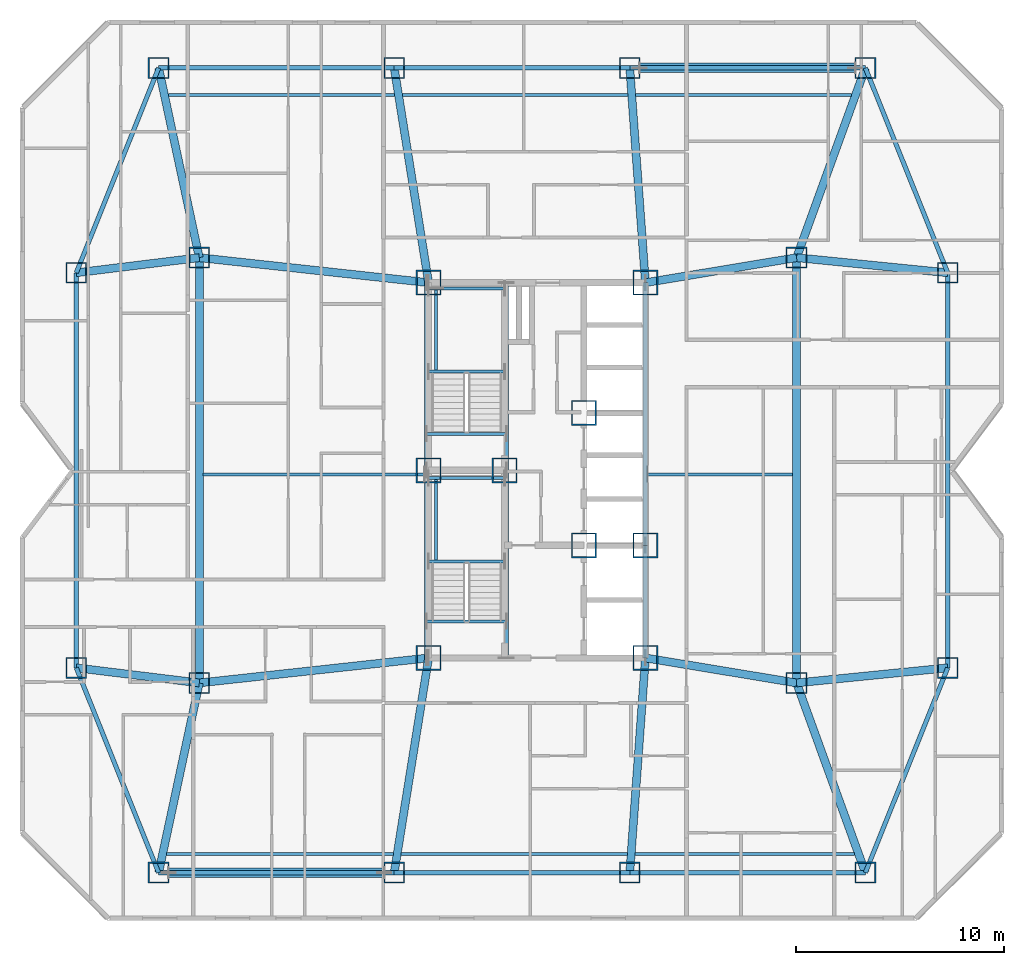
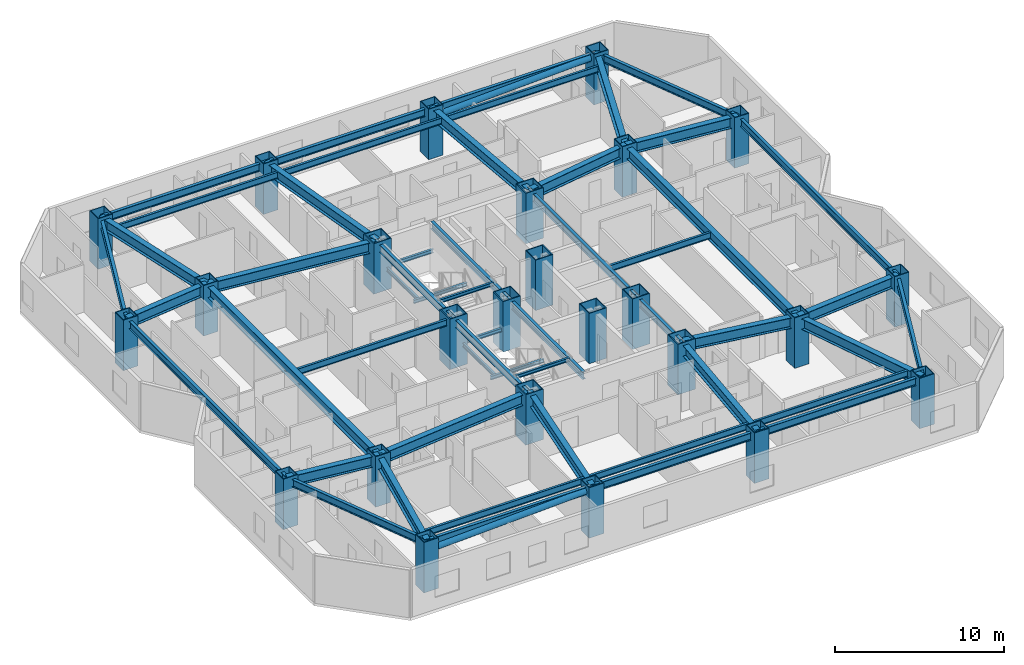
# One storey, part 1 of 13: 52 beams, 25 columns, 2 members.
"""IFC4 building model written with IfcOpenShell, lengths in metres."""

from ifc_helpers import new_model, si_unit, direction, frame, origin, origin_2d, place, context, subcontext, project, spatial, hollow_rectangle, hollow_circle, i_section, extrude, material, material_profile, profile_set, type_object, element, save


model = new_model("IFC4")

# Units and contexts
model_context = context("Model", 3, precision=1e-05, world=origin(), true_north=direction((0.0, 1.0)))
body_context = subcontext(model_context, "Body", "Model", "MODEL_VIEW")
ifc_project = project(units=[si_unit("LENGTHUNIT", "METRE"), si_unit("AREAUNIT", "SQUARE_METRE"), si_unit("VOLUMEUNIT", "CUBIC_METRE"), si_unit("PLANEANGLEUNIT", "RADIAN"), si_unit("MASSUNIT", "GRAM", prefix="KILO")], contexts=[model_context])

# Site, building, storey
site_placement = place(None, origin())
site = spatial("IfcSite", under=ifc_project, at=site_placement, CompositionType="ELEMENT")
building_placement = place(site_placement, origin())
building = spatial("IfcBuilding", under=site, at=building_placement, Name="Khamvora Tower", CompositionType="ELEMENT")
storey_placement = place(building_placement, frame((0.0, 0.0, 105.550048828125)))
storey = spatial("IfcBuildingStorey", under=building, at=storey_placement, Name="L26", CompositionType="ELEMENT", Elevation=105.550048828125)

# Columns
ifc_material_1 = material(Name="Steel S355", Category="steel")
ifc_material_profile_1 = material_profile(ifc_material_1, hollow_rectangle(XDim=1.0, YDim=1.0, WallThickness=0.050048828125, at=origin_2d()), Name="BOX1000x1000x50")
ifc_profile_set_1 = profile_set([ifc_material_profile_1], Name="Steel S355")
column_type_1 = type_object("IfcColumnType", Name="COL-BOX1000", PredefinedType="COLUMN", material=ifc_profile_set_1)
for number, where, z_axis, x_axis, name in (
    (1, (16.050048828125, 8.699951171875, 0.0), (0.0, 0.0, 1.0), (1.0, 0.0, 0.0), "L26 structural frame column S1"),
    (2, (27.35009765625, 8.699951171875, 0.0), (0.0, 0.0, 1.0), (1.0, 0.0, 0.0), "L26 structural frame column S2"),
    (3, (38.64990234375, 8.699951171875, 0.0), (0.0, 0.0, 1.0), (1.0, 0.0, 0.0), "L26 structural frame column S3"),
    (4, (49.949951171875, 8.699951171875, 0.0), (0.0, 0.0, 1.0), (1.0, 0.0, 0.0), "L26 structural frame column S4"),
    (5, (16.050048828125, 47.300048828125, 0.0), (0.0, 0.0, 1.0), (1.0, 0.0, 0.0), "L26 structural frame column N1"),
    (6, (27.35009765625, 47.300048828125, 0.0), (0.0, 0.0, 1.0), (1.0, 0.0, 0.0), "L26 structural frame column N2"),
    (7, (38.64990234375, 47.300048828125, 0.0), (0.0, 0.0, 1.0), (1.0, 0.0, 0.0), "L26 structural frame column N3"),
    (8, (49.949951171875, 47.300048828125, 0.0), (0.0, 0.0, 1.0), (1.0, 0.0, 0.0), "L26 structural frame column N4"),
    (9, (12.10009765625, 18.52490234375, 0.0), (0.0, 0.0, 1.0), (1.0, 0.0, 0.0), "L26 structural frame column W1"),
    (10, (12.10009765625, 37.47509765625, 0.0), (0.0, 0.0, 1.0), (1.0, 0.0, 0.0), "L26 structural frame column W2"),
    (11, (53.89990234375, 18.52490234375, 0.0), (0.0, 0.0, 1.0), (1.0, 0.0, 0.0), "L26 structural frame column E1"),
    (12, (53.89990234375, 37.47509765625, 0.0), (0.0, 0.0, 1.0), (1.0, 0.0, 0.0), "L26 structural frame column E2"),
    (13, (18.0, 17.800048828125, 0.0), (0.0, 0.0, 1.0), (1.0, 0.0, 0.0), "L26 structural frame column MW1"),
    (14, (18.0, 38.199951171875, 0.0), (0.0, 0.0, 1.0), (1.0, 0.0, 0.0), "L26 structural frame column MW2"),
    (15, (46.64990234375, 17.800048828125, 0.0), (0.0, 0.0, 1.0), (1.0, 0.0, 0.0), "L26 structural frame column M1"),
    (16, (46.64990234375, 38.199951171875, 0.0), (0.0, 0.0, 1.0), (1.0, 0.0, 0.0), "L26 structural frame column M2"),
):
    element("IfcColumn", number, at=place(storey_placement, frame(where, z_axis=z_axis, x_axis=x_axis)), inside=storey, type_object=column_type_1, Name=name, PredefinedType="COLUMN", context=body_context, shape_type="SweptSolid", body=[
        extrude(hollow_rectangle(XDim=1.0, YDim=1.0, WallThickness=0.050048828125, at=origin_2d()), origin(), (0.0, 0.0, 1.0), 3.64990234375),
    ])
ifc_material_2 = material(Name="Steel S460", Category="steel")
ifc_material_profile_2 = material_profile(ifc_material_2, hollow_rectangle(XDim=1.199951171875, YDim=1.199951171875, WallThickness=0.06005859375, at=origin_2d()), Name="BOX1200x1200x60")
ifc_profile_set_2 = profile_set([ifc_material_profile_2], Name="Steel S460")
column_type_2 = type_object("IfcColumnType", Name="COL-BOX1200", PredefinedType="COLUMN", material=ifc_profile_set_2)
for number, where, z_axis, x_axis, name in (
    (17, (29.0, 19.0, 0.0), (0.0, 0.0, 1.0), (1.0, 0.0, 0.0), "L26 plumb core spine column SC1"),
    (18, (32.64990234375, 28.0, 0.0), (0.0, 0.0, 1.0), (1.0, 0.0, 0.0), "L26 plumb core spine column SC2"),
    (19, (39.39990234375, 19.0, 0.0), (0.0, 0.0, 1.0), (1.0, 0.0, 0.0), "L26 plumb core spine column SC3"),
    (20, (29.0, 28.0, 0.0), (0.0, 0.0, 1.0), (1.0, 0.0, 0.0), "L26 plumb core spine column SC4"),
    (21, (36.449951171875, 24.39990234375, 0.0), (0.0, 0.0, 1.0), (1.0, 0.0, 0.0), "L26 plumb core spine column SC5"),
    (22, (39.39990234375, 24.39990234375, 0.0), (0.0, 0.0, 1.0), (1.0, 0.0, 0.0), "L26 plumb core spine column SC6"),
    (23, (29.0, 37.0, 0.0), (0.0, 0.0, 1.0), (1.0, 0.0, 0.0), "L26 plumb core spine column SC7"),
    (24, (36.449951171875, 30.75, 0.0), (0.0, 0.0, 1.0), (1.0, 0.0, 0.0), "L26 plumb core spine column SC8"),
    (25, (39.39990234375, 37.0, 0.0), (0.0, 0.0, 1.0), (1.0, 0.0, 0.0), "L26 plumb core spine column SC9"),
):
    element("IfcColumn", number, at=place(storey_placement, frame(where, z_axis=z_axis, x_axis=x_axis)), inside=storey, type_object=column_type_2, Name=name, PredefinedType="COLUMN", context=body_context, shape_type="SweptSolid", body=[
        extrude(hollow_rectangle(XDim=1.199951171875, YDim=1.199951171875, WallThickness=0.06005859375, at=origin_2d()), origin(), (0.0, 0.0, 1.0), 3.64990234375),
    ])

# Beams
ifc_material_profile_3 = material_profile(ifc_material_1, i_section(OverallWidth=0.154052734375, OverallDepth=0.458984375, WebThickness=0.009033203125, FlangeThickness=0.014892578125, FilletRadius=0.011962890625, at=origin_2d()), Name="W460x68")
ifc_profile_set_3 = profile_set([ifc_material_profile_3], Name="Steel S355")
beam_type_1 = type_object("IfcBeamType", Name="BM-JS-W460x68", PredefinedType="JOIST", material=ifc_profile_set_3)
beam_1_placement = place(storey_placement, frame((16.43310546875, 9.60009765625, 3.200927734375), z_axis=(1.0, 0.0, 0.0), x_axis=(0.0, 1.0, 0.0)))
element("IfcBeam", 26, at=beam_1_placement, inside=storey, type_object=beam_type_1, Name="L26 secondary floor joist 01", PredefinedType="JOIST", context=body_context, shape_type="SweptSolid", body=[
    extrude(i_section(OverallWidth=0.154052734375, OverallDepth=0.458984375, WebThickness=0.009033203125, FlangeThickness=0.014892578125, FilletRadius=0.011962890625, at=origin_2d()), origin(), (0.0, 0.0, 1.0), 10.872802734375),
])
beam_2_placement = place(storey_placement, frame((27.681884765625, 9.60009765625, 3.200927734375), z_axis=(1.0, 0.0, 0.0), x_axis=(0.0, 1.0, 0.0)))
element("IfcBeam", 27, at=beam_2_placement, inside=storey, type_object=beam_type_1, Name="L26 secondary floor joist 02", PredefinedType="JOIST", context=body_context, shape_type="SweptSolid", body=[
    extrude(i_section(OverallWidth=0.154052734375, OverallDepth=0.458984375, WebThickness=0.009033203125, FlangeThickness=0.014892578125, FilletRadius=0.011962890625, at=origin_2d()), origin(), (0.0, 0.0, 1.0), 10.84814453125),
])
beam_3_placement = place(storey_placement, frame((38.902099609375, 9.60009765625, 3.200927734375), z_axis=(1.0, 0.0, 0.0), x_axis=(0.0, 1.0, 0.0)))
element("IfcBeam", 28, at=beam_3_placement, inside=storey, type_object=beam_type_1, Name="L26 secondary floor joist 03", PredefinedType="JOIST", context=body_context, shape_type="SweptSolid", body=[
    extrude(i_section(OverallWidth=0.154052734375, OverallDepth=0.458984375, WebThickness=0.009033203125, FlangeThickness=0.014892578125, FilletRadius=0.011962890625, at=origin_2d()), origin(), (0.0, 0.0, 1.0), 10.52392578125),
])
beam_4_placement = place(storey_placement, frame((18.18603515625, 27.800048828125, 3.200927734375), z_axis=(1.0, 0.0, 0.0), x_axis=(0.0, 1.0, 0.0)))
element("IfcBeam", 29, at=beam_4_placement, inside=storey, type_object=beam_type_1, Name="L26 secondary floor joist 04", PredefinedType="JOIST", context=body_context, shape_type="SweptSolid", body=[
    extrude(i_section(OverallWidth=0.154052734375, OverallDepth=0.458984375, WebThickness=0.009033203125, FlangeThickness=0.014892578125, FilletRadius=0.011962890625, at=origin_2d()), origin(), (0.0, 0.0, 1.0), 10.614013671875),
])
beam_5_placement = place(storey_placement, frame((39.4990234375, 27.800048828125, 3.200927734375), z_axis=(1.0, 0.0, 0.0), x_axis=(0.0, 1.0, 0.0)))
element("IfcBeam", 30, at=beam_5_placement, inside=storey, type_object=beam_type_1, Name="L26 secondary floor joist 05", PredefinedType="JOIST", context=body_context, shape_type="SweptSolid", body=[
    extrude(i_section(OverallWidth=0.154052734375, OverallDepth=0.458984375, WebThickness=0.009033203125, FlangeThickness=0.014892578125, FilletRadius=0.011962890625, at=origin_2d()), origin(), (0.0, 0.0, 1.0), 6.966064453125),
])
beam_6_placement = place(storey_placement, frame((16.51806640625, 46.0, 3.200927734375), z_axis=(1.0, 0.0, 0.0), x_axis=(0.0, 1.0, 0.0)))
element("IfcBeam", 31, at=beam_6_placement, inside=storey, type_object=beam_type_1, Name="L26 secondary floor joist 06", PredefinedType="JOIST", context=body_context, shape_type="SweptSolid", body=[
    extrude(i_section(OverallWidth=0.154052734375, OverallDepth=0.458984375, WebThickness=0.009033203125, FlangeThickness=0.014892578125, FilletRadius=0.011962890625, at=origin_2d()), origin(), (0.0, 0.0, 1.0), 10.85205078125),
])
beam_7_placement = place(storey_placement, frame((27.74609375, 46.0, 3.200927734375), z_axis=(1.0, 0.0, 0.0), x_axis=(0.0, 1.0, 0.0)))
element("IfcBeam", 32, at=beam_7_placement, inside=storey, type_object=beam_type_1, Name="L26 secondary floor joist 07", PredefinedType="JOIST", context=body_context, shape_type="SweptSolid", body=[
    extrude(i_section(OverallWidth=0.154052734375, OverallDepth=0.458984375, WebThickness=0.009033203125, FlangeThickness=0.014892578125, FilletRadius=0.011962890625, at=origin_2d()), origin(), (0.0, 0.0, 1.0), 10.81298828125),
])
beam_8_placement = place(storey_placement, frame((38.930908203125, 46.0, 3.200927734375), z_axis=(1.0, 0.0, 0.0), x_axis=(0.0, 1.0, 0.0)))
element("IfcBeam", 33, at=beam_8_placement, inside=storey, type_object=beam_type_1, Name="L26 secondary floor joist 08", PredefinedType="JOIST", context=body_context, shape_type="SweptSolid", body=[
    extrude(i_section(OverallWidth=0.154052734375, OverallDepth=0.458984375, WebThickness=0.009033203125, FlangeThickness=0.014892578125, FilletRadius=0.011962890625, at=origin_2d()), origin(), (0.0, 0.0, 1.0), 10.35009765625),
])
ifc_material_profile_4 = material_profile(ifc_material_1, i_section(OverallWidth=0.14697265625, OverallDepth=0.261962890625, WebThickness=0.007080078125, FlangeThickness=0.010986328125, FilletRadius=0.008056640625, at=origin_2d()), Name="W250x39")
ifc_profile_set_4 = profile_set([ifc_material_profile_4], Name="Steel S355")
beam_type_2 = type_object("IfcBeamType", Name="BM-LN-W250x39", PredefinedType="LINTEL", material=ifc_profile_set_4)
for number, where, z_axis, x_axis, name in (
    (34, (29.0, 23.635009765625, 1.493896484375), (1.0, 0.0, 0.0), (0.0, 1.0, 0.0), "L26 ST-01 half-landing support beam 1.1"),
    (35, (29.0, 27.6298828125, 1.493896484375), (1.0, 0.0, 0.0), (0.0, 1.0, 0.0), "L26 ST-01 half-landing support beam 1.2"),
):
    element("IfcBeam", number, at=place(storey_placement, frame(where, z_axis=z_axis, x_axis=x_axis)), inside=storey, type_object=beam_type_2, Name=name, PredefinedType="LINTEL", context=body_context, shape_type="SweptSolid", body=[
        extrude(i_section(OverallWidth=0.14697265625, OverallDepth=0.261962890625, WebThickness=0.007080078125, FlangeThickness=0.010986328125, FilletRadius=0.008056640625, at=origin_2d()), origin(), (0.0, 0.0, 1.0), 3.64990234375),
    ])
beam_9_placement = place(storey_placement, frame((29.35009765625, 23.635009765625, 1.493896484375), z_axis=(0.0, 1.0, 0.0), x_axis=(-1.0, 0.0, 0.0)))
element("IfcBeam", 36, at=beam_9_placement, inside=storey, type_object=beam_type_2, Name="L26 ST-01 half-landing edge stringer 1", PredefinedType="LINTEL", context=body_context, shape_type="SweptSolid", body=[
    extrude(i_section(OverallWidth=0.14697265625, OverallDepth=0.261962890625, WebThickness=0.007080078125, FlangeThickness=0.010986328125, FilletRadius=0.008056640625, at=origin_2d()), origin(), (0.0, 0.0, 1.0), 3.994873046875),
])
for number, where, z_axis, x_axis, name in (
    (37, (29.0, 32.735107421875, 1.493896484375), (1.0, 0.0, 0.0), (0.0, 1.0, 0.0), "L26 ST-02 half-landing support beam 1.1"),
    (38, (29.0, 36.72998046875, 1.493896484375), (1.0, 0.0, 0.0), (0.0, 1.0, 0.0), "L26 ST-02 half-landing support beam 1.2"),
):
    element("IfcBeam", number, at=place(storey_placement, frame(where, z_axis=z_axis, x_axis=x_axis)), inside=storey, type_object=beam_type_2, Name=name, PredefinedType="LINTEL", context=body_context, shape_type="SweptSolid", body=[
        extrude(i_section(OverallWidth=0.14697265625, OverallDepth=0.261962890625, WebThickness=0.007080078125, FlangeThickness=0.010986328125, FilletRadius=0.008056640625, at=origin_2d()), origin(), (0.0, 0.0, 1.0), 3.64990234375),
    ])
beam_10_placement = place(storey_placement, frame((29.35009765625, 32.735107421875, 1.493896484375), z_axis=(0.0, 1.0, 0.0), x_axis=(-1.0, 0.0, 0.0)))
element("IfcBeam", 39, at=beam_10_placement, inside=storey, type_object=beam_type_2, Name="L26 ST-02 half-landing edge stringer 1", PredefinedType="LINTEL", context=body_context, shape_type="SweptSolid", body=[
    extrude(i_section(OverallWidth=0.14697265625, OverallDepth=0.261962890625, WebThickness=0.007080078125, FlangeThickness=0.010986328125, FilletRadius=0.008056640625, at=origin_2d()), origin(), (0.0, 0.0, 1.0), 3.994873046875),
])
for number, where, z_axis, x_axis, name in (
    (40, (28.89990234375, 20.75, 3.303955078125), (1.0, 0.0, 0.0), (0.0, 1.0, 0.0), "L26 exit stair ST-01 landing trimmer beam"),
    (41, (28.89990234375, 29.75, 3.303955078125), (1.0, 0.0, 0.0), (0.0, 1.0, 0.0), "L26 exit stair ST-02 landing trimmer beam"),
):
    element("IfcBeam", number, at=place(storey_placement, frame(where, z_axis=z_axis, x_axis=x_axis)), inside=storey, type_object=beam_type_2, Name=name, PredefinedType="LINTEL", context=body_context, shape_type="SweptSolid", body=[
        extrude(i_section(OverallWidth=0.14697265625, OverallDepth=0.261962890625, WebThickness=0.007080078125, FlangeThickness=0.010986328125, FilletRadius=0.008056640625, at=origin_2d()), origin(), (0.0, 0.0, 1.0), 3.830078125),
    ])
ifc_material_profile_5 = material_profile(ifc_material_1, i_section(OverallWidth=0.381103515625, OverallDepth=0.77294921875, WebThickness=0.01708984375, FlangeThickness=0.027099609375, FilletRadius=0.01806640625, at=origin_2d()), Name="W760x257")
ifc_profile_set_5 = profile_set([ifc_material_profile_5], Name="Steel S355")
beam_type_3 = type_object("IfcBeamType", Name="BM-PG-W760x257", PredefinedType="BEAM", material=ifc_profile_set_5)
for number, where, z_axis, x_axis, name in (
    (42, (46.64990234375, 17.800048828125, 3.0439453125), (0.0, 1.0, 0.0), (-1.0, 0.0, 0.0), "L26 longitudinal frame girder M1-M2"),
    (43, (18.0, 17.800048828125, 3.0439453125), (0.0, 1.0, 0.0), (-1.0, 0.0, 0.0), "L26 longitudinal frame girder MW1-MW2"),
):
    element("IfcBeam", number, at=place(storey_placement, frame(where, z_axis=z_axis, x_axis=x_axis)), inside=storey, type_object=beam_type_3, Name=name, PredefinedType="BEAM", context=body_context, shape_type="SweptSolid", body=[
        extrude(i_section(OverallWidth=0.381103515625, OverallDepth=0.77294921875, WebThickness=0.01708984375, FlangeThickness=0.027099609375, FilletRadius=0.01806640625, at=origin_2d()), origin(), (0.0, 0.0, 1.0), 20.39990234375),
    ])
beam_11_placement = place(storey_placement, frame((18.0, 17.800048828125, 3.0439453125), z_axis=(-0.209521922673, -0.977803949634, 0.0), x_axis=(0.977803949634, -0.209521922673, 0.0)))
element("IfcBeam", 44, at=beam_11_placement, inside=storey, type_object=beam_type_3, Name="L26 primary floor girder S1", PredefinedType="BEAM", context=body_context, shape_type="SweptSolid", body=[
    extrude(i_section(OverallWidth=0.381103515625, OverallDepth=0.77294921875, WebThickness=0.01708984375, FlangeThickness=0.027099609375, FilletRadius=0.01806640625, at=origin_2d()), origin(), (0.0, 0.0, 1.0), 9.306640625),
])
beam_12_placement = place(storey_placement, frame((29.0, 19.0, 3.0439453125), z_axis=(-0.158167584066, -0.987412282358, 0.0), x_axis=(0.987412282358, -0.158167584066, 0.0)))
element("IfcBeam", 45, at=beam_12_placement, inside=storey, type_object=beam_type_3, Name="L26 primary floor girder S2", PredefinedType="BEAM", context=body_context, shape_type="SweptSolid", body=[
    extrude(i_section(OverallWidth=0.381103515625, OverallDepth=0.77294921875, WebThickness=0.01708984375, FlangeThickness=0.027099609375, FilletRadius=0.01806640625, at=origin_2d()), origin(), (0.0, 0.0, 1.0), 10.431396484375),
])
beam_13_placement = place(storey_placement, frame((39.39990234375, 19.0, 3.0439453125), z_axis=(-0.07262291808, -0.997359469685, 0.0), x_axis=(0.997359469685, -0.07262291808, 0.0)))
element("IfcBeam", 46, at=beam_13_placement, inside=storey, type_object=beam_type_3, Name="L26 primary floor girder S3", PredefinedType="BEAM", context=body_context, shape_type="SweptSolid", body=[
    extrude(i_section(OverallWidth=0.381103515625, OverallDepth=0.77294921875, WebThickness=0.01708984375, FlangeThickness=0.027099609375, FilletRadius=0.01806640625, at=origin_2d()), origin(), (0.0, 0.0, 1.0), 10.327392578125),
])
beam_14_placement = place(storey_placement, frame((46.64990234375, 17.800048828125, 3.0439453125), z_axis=(0.340914681567, -0.940094239899, 0.0), x_axis=(0.940094239899, 0.340914681567, 0.0)))
element("IfcBeam", 47, at=beam_14_placement, inside=storey, type_object=beam_type_3, Name="L26 primary floor girder S4", PredefinedType="BEAM", context=body_context, shape_type="SweptSolid", body=[
    extrude(i_section(OverallWidth=0.381103515625, OverallDepth=0.77294921875, WebThickness=0.01708984375, FlangeThickness=0.027099609375, FilletRadius=0.01806640625, at=origin_2d()), origin(), (0.0, 0.0, 1.0), 9.679931640625),
])
beam_15_placement = place(storey_placement, frame((18.0, 38.199951171875, 3.0439453125), z_axis=(-0.209521922673, 0.977803949634, 0.0), x_axis=(-0.977803949634, -0.209521922673, 0.0)))
element("IfcBeam", 48, at=beam_15_placement, inside=storey, type_object=beam_type_3, Name="L26 primary floor girder N1", PredefinedType="BEAM", context=body_context, shape_type="SweptSolid", body=[
    extrude(i_section(OverallWidth=0.381103515625, OverallDepth=0.77294921875, WebThickness=0.01708984375, FlangeThickness=0.027099609375, FilletRadius=0.01806640625, at=origin_2d()), origin(), (0.0, 0.0, 1.0), 9.306640625),
])
beam_16_placement = place(storey_placement, frame((29.0, 37.0, 3.0439453125), z_axis=(-0.158167584066, 0.987412282358, 0.0), x_axis=(-0.987412282358, -0.158167584066, 0.0)))
element("IfcBeam", 49, at=beam_16_placement, inside=storey, type_object=beam_type_3, Name="L26 primary floor girder N2", PredefinedType="BEAM", context=body_context, shape_type="SweptSolid", body=[
    extrude(i_section(OverallWidth=0.381103515625, OverallDepth=0.77294921875, WebThickness=0.01708984375, FlangeThickness=0.027099609375, FilletRadius=0.01806640625, at=origin_2d()), origin(), (0.0, 0.0, 1.0), 10.431396484375),
])
beam_17_placement = place(storey_placement, frame((39.39990234375, 37.0, 3.0439453125), z_axis=(-0.07262291808, 0.997359469685, 0.0), x_axis=(-0.997359469685, -0.07262291808, 0.0)))
element("IfcBeam", 50, at=beam_17_placement, inside=storey, type_object=beam_type_3, Name="L26 primary floor girder N3", PredefinedType="BEAM", context=body_context, shape_type="SweptSolid", body=[
    extrude(i_section(OverallWidth=0.381103515625, OverallDepth=0.77294921875, WebThickness=0.01708984375, FlangeThickness=0.027099609375, FilletRadius=0.01806640625, at=origin_2d()), origin(), (0.0, 0.0, 1.0), 10.327392578125),
])
beam_18_placement = place(storey_placement, frame((46.64990234375, 38.199951171875, 3.0439453125), z_axis=(0.340914681567, 0.940094239899, 0.0), x_axis=(-0.940094239899, 0.340914681567, 0.0)))
element("IfcBeam", 51, at=beam_18_placement, inside=storey, type_object=beam_type_3, Name="L26 primary floor girder N4", PredefinedType="BEAM", context=body_context, shape_type="SweptSolid", body=[
    extrude(i_section(OverallWidth=0.381103515625, OverallDepth=0.77294921875, WebThickness=0.01708984375, FlangeThickness=0.027099609375, FilletRadius=0.01806640625, at=origin_2d()), origin(), (0.0, 0.0, 1.0), 9.679931640625),
])
for number, where, z_axis, x_axis, name in (
    (52, (18.0, 17.800048828125, 3.0439453125), (-0.992537264608, 0.12194170068, 0.0), (-0.12194170068, -0.992537264608, 0.0), "L26 primary floor girder W1"),
    (53, (18.0, 38.199951171875, 3.0439453125), (-0.992537264608, -0.12194170068, 0.0), (0.12194170068, -0.992537264608, 0.0), "L26 primary floor girder W2"),
):
    element("IfcBeam", number, at=place(storey_placement, frame(where, z_axis=z_axis, x_axis=x_axis)), inside=storey, type_object=beam_type_3, Name=name, PredefinedType="BEAM", context=body_context, shape_type="SweptSolid", body=[
        extrude(i_section(OverallWidth=0.381103515625, OverallDepth=0.77294921875, WebThickness=0.01708984375, FlangeThickness=0.027099609375, FilletRadius=0.01806640625, at=origin_2d()), origin(), (0.0, 0.0, 1.0), 5.9443359375),
    ])
for number, where, z_axis, x_axis, name in (
    (54, (46.64990234375, 17.800048828125, 3.0439453125), (0.995039180556, 0.099483813546, 0.0), (-0.099483813546, 0.995039180556, 0.0), "L26 primary floor girder E1"),
    (55, (46.64990234375, 38.199951171875, 3.0439453125), (0.995039180556, -0.099483813546, 0.0), (0.099483813546, 0.995039180556, 0.0), "L26 primary floor girder E2"),
):
    element("IfcBeam", number, at=place(storey_placement, frame(where, z_axis=z_axis, x_axis=x_axis)), inside=storey, type_object=beam_type_3, Name=name, PredefinedType="BEAM", context=body_context, shape_type="SweptSolid", body=[
        extrude(i_section(OverallWidth=0.381103515625, OverallDepth=0.77294921875, WebThickness=0.01708984375, FlangeThickness=0.027099609375, FilletRadius=0.01806640625, at=origin_2d()), origin(), (0.0, 0.0, 1.0), 7.2861328125),
    ])
for number, where, z_axis, x_axis, name in (
    (56, (29.0, 19.0, 3.0439453125), (-0.994102652327, -0.108443149329, 0.0), (0.108443149329, -0.994102652327, 0.0), "L26 primary floor girder MW1"),
    (57, (29.0, 37.0, 3.0439453125), (-0.994102652327, 0.108443149329, 0.0), (-0.108443149329, -0.994102652327, 0.0), "L26 primary floor girder MW2"),
):
    element("IfcBeam", number, at=place(storey_placement, frame(where, z_axis=z_axis, x_axis=x_axis)), inside=storey, type_object=beam_type_3, Name=name, PredefinedType="BEAM", context=body_context, shape_type="SweptSolid", body=[
        extrude(i_section(OverallWidth=0.381103515625, OverallDepth=0.77294921875, WebThickness=0.01708984375, FlangeThickness=0.027099609375, FilletRadius=0.01806640625, at=origin_2d()), origin(), (0.0, 0.0, 1.0), 11.065185546875),
    ])
for number, where, z_axis, x_axis, name in (
    (58, (39.39990234375, 19.0, 3.0439453125), (0.986578268552, -0.163289068896, 0.0), (0.163289068896, 0.986578268552, 0.0), "L26 primary floor girder M1"),
    (59, (39.39990234375, 37.0, 3.0439453125), (0.986578268552, 0.163289068896, 0.0), (-0.163289068896, 0.986578268552, 0.0), "L26 primary floor girder M2"),
):
    element("IfcBeam", number, at=place(storey_placement, frame(where, z_axis=z_axis, x_axis=x_axis)), inside=storey, type_object=beam_type_3, Name=name, PredefinedType="BEAM", context=body_context, shape_type="SweptSolid", body=[
        extrude(i_section(OverallWidth=0.381103515625, OverallDepth=0.77294921875, WebThickness=0.01708984375, FlangeThickness=0.027099609375, FilletRadius=0.01806640625, at=origin_2d()), origin(), (0.0, 0.0, 1.0), 7.3486328125),
    ])
ifc_material_profile_6 = material_profile(ifc_material_1, i_section(OverallWidth=0.2119140625, OverallDepth=0.5439453125, WebThickness=0.012939453125, FlangeThickness=0.02099609375, FilletRadius=0.013916015625, at=origin_2d()), Name="W530x123")
ifc_profile_set_6 = profile_set([ifc_material_profile_6], Name="Steel S355")
beam_type_4 = type_object("IfcBeamType", Name="BM-SP-W530x123", PredefinedType="SPANDREL", material=ifc_profile_set_6)
beam_19_placement = place(storey_placement, frame((12.10009765625, 18.52490234375, 3.157958984375), z_axis=(0.373015921536, -0.927824941614, 0.0), x_axis=(0.927824941614, 0.373015921536, 0.0)))
element("IfcBeam", 60, at=beam_19_placement, inside=storey, type_object=beam_type_4, Name="L26 perimeter spandrel beam W1-S1", PredefinedType="SPANDREL", context=body_context, shape_type="SweptSolid", body=[
    extrude(i_section(OverallWidth=0.2119140625, OverallDepth=0.5439453125, WebThickness=0.012939453125, FlangeThickness=0.02099609375, FilletRadius=0.013916015625, at=origin_2d()), origin(), (0.0, 0.0, 1.0), 10.589111328125),
])
beam_20_placement = place(storey_placement, frame((16.050048828125, 8.699951171875, 3.157958984375), z_axis=(1.0, 0.0, 0.0), x_axis=(0.0, 1.0, 0.0)))
element("IfcBeam", 61, at=beam_20_placement, inside=storey, type_object=beam_type_4, Name="L26 perimeter spandrel beam S1-S2", PredefinedType="SPANDREL", context=body_context, shape_type="SweptSolid", body=[
    extrude(i_section(OverallWidth=0.2119140625, OverallDepth=0.5439453125, WebThickness=0.012939453125, FlangeThickness=0.02099609375, FilletRadius=0.013916015625, at=origin_2d()), origin(), (0.0, 0.0, 1.0), 11.300048828125),
])
beam_21_placement = place(storey_placement, frame((27.35009765625, 8.699951171875, 3.157958984375), z_axis=(1.0, 0.0, 0.0), x_axis=(0.0, 1.0, 0.0)))
element("IfcBeam", 62, at=beam_21_placement, inside=storey, type_object=beam_type_4, Name="L26 perimeter spandrel beam S2-S3", PredefinedType="SPANDREL", context=body_context, shape_type="SweptSolid", body=[
    extrude(i_section(OverallWidth=0.2119140625, OverallDepth=0.5439453125, WebThickness=0.012939453125, FlangeThickness=0.02099609375, FilletRadius=0.013916015625, at=origin_2d()), origin(), (0.0, 0.0, 1.0), 11.2998046875),
])
beam_22_placement = place(storey_placement, frame((38.64990234375, 8.699951171875, 3.157958984375), z_axis=(1.0, 0.0, 0.0), x_axis=(0.0, 1.0, 0.0)))
element("IfcBeam", 63, at=beam_22_placement, inside=storey, type_object=beam_type_4, Name="L26 perimeter spandrel beam S3-S4", PredefinedType="SPANDREL", context=body_context, shape_type="SweptSolid", body=[
    extrude(i_section(OverallWidth=0.2119140625, OverallDepth=0.5439453125, WebThickness=0.012939453125, FlangeThickness=0.02099609375, FilletRadius=0.013916015625, at=origin_2d()), origin(), (0.0, 0.0, 1.0), 11.300048828125),
])
beam_23_placement = place(storey_placement, frame((49.949951171875, 8.699951171875, 3.157958984375), z_axis=(0.373015921536, 0.927824941614, 0.0), x_axis=(-0.927824941614, 0.373015921536, 0.0)))
element("IfcBeam", 64, at=beam_23_placement, inside=storey, type_object=beam_type_4, Name="L26 perimeter spandrel beam S4-E1", PredefinedType="SPANDREL", context=body_context, shape_type="SweptSolid", body=[
    extrude(i_section(OverallWidth=0.2119140625, OverallDepth=0.5439453125, WebThickness=0.012939453125, FlangeThickness=0.02099609375, FilletRadius=0.013916015625, at=origin_2d()), origin(), (0.0, 0.0, 1.0), 10.589111328125),
])
beam_24_placement = place(storey_placement, frame((53.89990234375, 18.52490234375, 3.157958984375), z_axis=(0.0, 1.0, 0.0), x_axis=(-1.0, 0.0, 0.0)))
element("IfcBeam", 65, at=beam_24_placement, inside=storey, type_object=beam_type_4, Name="L26 perimeter spandrel beam E1-E2", PredefinedType="SPANDREL", context=body_context, shape_type="SweptSolid", body=[
    extrude(i_section(OverallWidth=0.2119140625, OverallDepth=0.5439453125, WebThickness=0.012939453125, FlangeThickness=0.02099609375, FilletRadius=0.013916015625, at=origin_2d()), origin(), (0.0, 0.0, 1.0), 18.9501953125),
])
beam_25_placement = place(storey_placement, frame((53.89990234375, 37.47509765625, 3.157958984375), z_axis=(-0.373015921536, 0.927824941614, 0.0), x_axis=(-0.927824941614, -0.373015921536, 0.0)))
element("IfcBeam", 66, at=beam_25_placement, inside=storey, type_object=beam_type_4, Name="L26 perimeter spandrel beam E2-N4", PredefinedType="SPANDREL", context=body_context, shape_type="SweptSolid", body=[
    extrude(i_section(OverallWidth=0.2119140625, OverallDepth=0.5439453125, WebThickness=0.012939453125, FlangeThickness=0.02099609375, FilletRadius=0.013916015625, at=origin_2d()), origin(), (0.0, 0.0, 1.0), 10.589111328125),
])
beam_26_placement = place(storey_placement, frame((49.949951171875, 47.300048828125, 3.157958984375), z_axis=(-1.0, 0.0, 0.0), x_axis=(0.0, -1.0, 0.0)))
element("IfcBeam", 67, at=beam_26_placement, inside=storey, type_object=beam_type_4, Name="L26 perimeter spandrel beam N4-N3", PredefinedType="SPANDREL", context=body_context, shape_type="SweptSolid", body=[
    extrude(i_section(OverallWidth=0.2119140625, OverallDepth=0.5439453125, WebThickness=0.012939453125, FlangeThickness=0.02099609375, FilletRadius=0.013916015625, at=origin_2d()), origin(), (0.0, 0.0, 1.0), 11.300048828125),
])
beam_27_placement = place(storey_placement, frame((38.64990234375, 47.300048828125, 3.157958984375), z_axis=(-1.0, 0.0, 0.0), x_axis=(0.0, -1.0, 0.0)))
element("IfcBeam", 68, at=beam_27_placement, inside=storey, type_object=beam_type_4, Name="L26 perimeter spandrel beam N3-N2", PredefinedType="SPANDREL", context=body_context, shape_type="SweptSolid", body=[
    extrude(i_section(OverallWidth=0.2119140625, OverallDepth=0.5439453125, WebThickness=0.012939453125, FlangeThickness=0.02099609375, FilletRadius=0.013916015625, at=origin_2d()), origin(), (0.0, 0.0, 1.0), 11.2998046875),
])
beam_28_placement = place(storey_placement, frame((27.35009765625, 47.300048828125, 3.157958984375), z_axis=(-1.0, 0.0, 0.0), x_axis=(0.0, -1.0, 0.0)))
element("IfcBeam", 69, at=beam_28_placement, inside=storey, type_object=beam_type_4, Name="L26 perimeter spandrel beam N2-N1", PredefinedType="SPANDREL", context=body_context, shape_type="SweptSolid", body=[
    extrude(i_section(OverallWidth=0.2119140625, OverallDepth=0.5439453125, WebThickness=0.012939453125, FlangeThickness=0.02099609375, FilletRadius=0.013916015625, at=origin_2d()), origin(), (0.0, 0.0, 1.0), 11.300048828125),
])
beam_29_placement = place(storey_placement, frame((16.050048828125, 47.300048828125, 3.157958984375), z_axis=(-0.373015921536, -0.927824941614, 0.0), x_axis=(0.927824941614, -0.373015921536, 0.0)))
element("IfcBeam", 70, at=beam_29_placement, inside=storey, type_object=beam_type_4, Name="L26 perimeter spandrel beam N1-W2", PredefinedType="SPANDREL", context=body_context, shape_type="SweptSolid", body=[
    extrude(i_section(OverallWidth=0.2119140625, OverallDepth=0.5439453125, WebThickness=0.012939453125, FlangeThickness=0.02099609375, FilletRadius=0.013916015625, at=origin_2d()), origin(), (0.0, 0.0, 1.0), 10.589111328125),
])
beam_30_placement = place(storey_placement, frame((12.10009765625, 37.47509765625, 3.157958984375), z_axis=(0.0, -1.0, 0.0), x_axis=(1.0, 0.0, 0.0)))
element("IfcBeam", 71, at=beam_30_placement, inside=storey, type_object=beam_type_4, Name="L26 perimeter spandrel beam W2-W1", PredefinedType="SPANDREL", context=body_context, shape_type="SweptSolid", body=[
    extrude(i_section(OverallWidth=0.2119140625, OverallDepth=0.5439453125, WebThickness=0.012939453125, FlangeThickness=0.02099609375, FilletRadius=0.013916015625, at=origin_2d()), origin(), (0.0, 0.0, 1.0), 18.9501953125),
])
ifc_material_profile_7 = material_profile(ifc_material_1, i_section(OverallWidth=0.208984375, OverallDepth=0.532958984375, WebThickness=0.010009765625, FlangeThickness=0.01611328125, FilletRadius=0.013916015625, at=origin_2d()), Name="W530x92")
ifc_profile_set_7 = profile_set([ifc_material_profile_7], Name="Steel S355")
beam_type_5 = type_object("IfcBeamType", Name="BM-SP-W530x92", PredefinedType="SPANDREL", material=ifc_profile_set_7)
for number, where, z_axis, x_axis, name in (
    (72, (28.89990234375, 19.0, 3.1640625), (0.0, 1.0, 0.0), (-1.0, 0.0, 0.0), "L26 core spine girder WS"),
    (73, (28.89990234375, 28.0, 3.1640625), (0.0, 1.0, 0.0), (-1.0, 0.0, 0.0), "L26 core spine girder WN"),
    (74, (32.72998046875, 19.0, 3.1640625), (0.0, 1.0, 0.0), (-1.0, 0.0, 0.0), "L26 core spine girder M1S"),
    (75, (32.72998046875, 28.0, 3.1640625), (0.0, 1.0, 0.0), (-1.0, 0.0, 0.0), "L26 core spine girder M1N"),
):
    element("IfcBeam", number, at=place(storey_placement, frame(where, z_axis=z_axis, x_axis=x_axis)), inside=storey, type_object=beam_type_5, Name=name, PredefinedType="SPANDREL", context=body_context, shape_type="SweptSolid", body=[
        extrude(i_section(OverallWidth=0.208984375, OverallDepth=0.532958984375, WebThickness=0.010009765625, FlangeThickness=0.01611328125, FilletRadius=0.013916015625, at=origin_2d()), origin(), (0.0, 0.0, 1.0), 9.0),
    ])
beam_31_placement = place(storey_placement, frame((39.39990234375, 19.0, 3.1640625), z_axis=(0.0, 1.0, 0.0), x_axis=(-1.0, 0.0, 0.0)))
element("IfcBeam", 76, at=beam_31_placement, inside=storey, type_object=beam_type_5, Name="L26 core spine girder ES", PredefinedType="SPANDREL", context=body_context, shape_type="SweptSolid", body=[
    extrude(i_section(OverallWidth=0.208984375, OverallDepth=0.532958984375, WebThickness=0.010009765625, FlangeThickness=0.01611328125, FilletRadius=0.013916015625, at=origin_2d()), origin(), (0.0, 0.0, 1.0), 5.39990234375),
])
beam_32_placement = place(storey_placement, frame((39.39990234375, 24.39990234375, 3.1640625), z_axis=(0.0, 1.0, 0.0), x_axis=(-1.0, 0.0, 0.0)))
element("IfcBeam", 77, at=beam_32_placement, inside=storey, type_object=beam_type_5, Name="L26 core spine girder EN", PredefinedType="SPANDREL", context=body_context, shape_type="SweptSolid", body=[
    extrude(i_section(OverallWidth=0.208984375, OverallDepth=0.532958984375, WebThickness=0.010009765625, FlangeThickness=0.01611328125, FilletRadius=0.013916015625, at=origin_2d()), origin(), (0.0, 0.0, 1.0), 12.60009765625),
])

# Members
ifc_material_profile_8 = material_profile(ifc_material_1, hollow_circle(Radius=0.228515625, WallThickness=0.02001953125, at=origin_2d()), Name="CHS457x20")
ifc_profile_set_8 = profile_set([ifc_material_profile_8], Name="Steel S355")
member_type = type_object("IfcMemberType", Name="MEM-BR-CHS457", PredefinedType="BRACE", material=ifc_profile_set_8)
for number, where, z_axis, x_axis, name in (
    (78, (16.530029296875, 8.699951171875, 2.699951171875), (0.9990880639, 0.0, 0.042697079207), (0.0, 1.0, 0.0), "L26 perimeter wind brace 1"),
    (79, (39.1298828125, 47.300048828125, 2.699951171875), (0.9990880639, 0.0, 0.042697079207), (0.0, 1.0, 0.0), "L26 perimeter wind brace 2"),
):
    element("IfcMember", number, at=place(storey_placement, frame(where, z_axis=z_axis, x_axis=x_axis)), inside=storey, type_object=member_type, Name=name, PredefinedType="BRACE", context=body_context, shape_type="SweptSolid", body=[
        extrude(hollow_circle(Radius=0.228515625, WallThickness=0.02001953125, at=origin_2d()), origin(), (0.0, 0.0, 1.0), 10.349609375),
    ])

save(model, "model.ifc")
